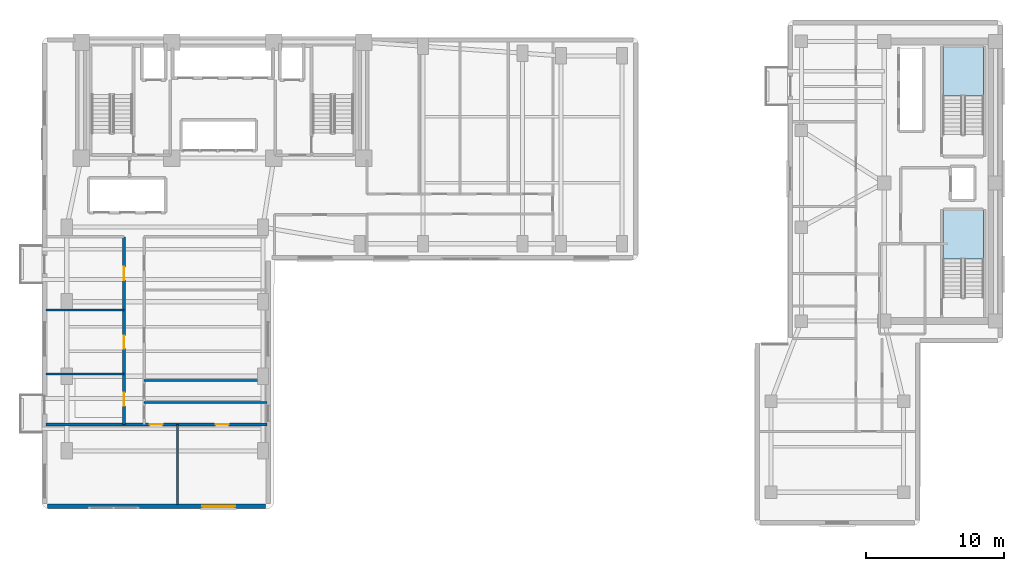
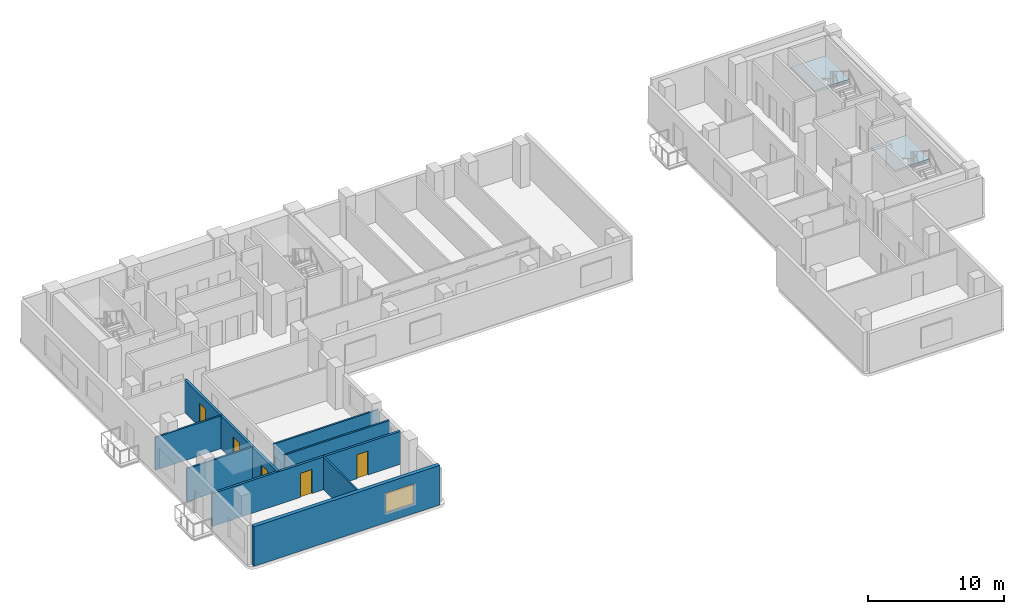
# One storey, part 8 of 16: 8 walls, 5 doors, 2 slabs, 1 window, 6 openings, 2 elements without a shape of their own.
"""IFC4 building model written with IfcOpenShell, lengths in metres."""

from ifc_helpers import new_model, si_unit, direction, frame, frame_2d, origin, place, context, subcontext, project, spatial, polyline, rectangle, outline, extrude, material, layer, layer_set, type_object, element, fill, aggregate, save


model = new_model("IFC4")

# Units and contexts
model_context = context("Model", 3, precision=1e-05, world=origin(), true_north=direction((0.0, 1.0)))
body_context = subcontext(model_context, "Body", "Model", "MODEL_VIEW")
ifc_project = project(units=[si_unit("LENGTHUNIT", "METRE"), si_unit("AREAUNIT", "SQUARE_METRE"), si_unit("VOLUMEUNIT", "CUBIC_METRE"), si_unit("PLANEANGLEUNIT", "RADIAN"), si_unit("MASSUNIT", "GRAM", prefix="KILO")], contexts=[model_context])

# Site, building, storey
site_placement = place(None, origin())
site = spatial("IfcSite", under=ifc_project, at=site_placement, CompositionType="ELEMENT")
building_placement = place(site_placement, origin())
building = spatial("IfcBuilding", under=site, at=building_placement, Name="Kuzgunbayir Cultural Tower", CompositionType="ELEMENT")
storey_placement = place(building_placement, frame((0.0, 0.0, 75.60009765625)))
storey = spatial("IfcBuildingStorey", under=building, at=storey_placement, Name="L21", CompositionType="ELEMENT", Elevation=75.60009765625)

# Stair, slab
ifc_material_1 = material(Name="Concrete C40/50", Category="concrete")
stair_type = type_object("IfcStairType", Name="STR-EXIT-CORE", PredefinedType="HALF_TURN_STAIR", material=ifc_material_1)
stair_1_placement = place(storey_placement, origin())
stair_1 = element("IfcStair", 1, at=stair_1_placement, inside=storey, type_object=stair_type, Name="L21 ST-3", PredefinedType="HALF_TURN_STAIR")
ifc_layer_1 = layer(ifc_material_1, 0.179931640625)
ifc_layer_set_1 = layer_set([ifc_layer_1], Name="Concrete C40/50")
slab_type = type_object("IfcSlabType", Name="SLB-LANDING-180", PredefinedType="LANDING", material=ifc_layer_set_1)
slab_1_placement = place(storey_placement, frame((0.0, 0.0, 1.699951171875)))
slab_1 = element("IfcSlab", 2, at=slab_1_placement, type_object=slab_type, Name="ST-3 landing 1", PredefinedType="LANDING", context=body_context, shape_type="SweptSolid", body=[
    extrude(outline(polyline([(71.800048828125, 26.5), (71.800048828125, 30.0), (68.840087890625, 30.0), (68.840087890625, 26.5), (71.800048828125, 26.5)])), origin(), (0.0, 0.0, 1.0), 0.199951171875),
])
aggregate(stair_1, [slab_1])

stair_2_placement = place(storey_placement, origin())
stair_2 = element("IfcStair", 3, at=stair_2_placement, inside=storey, type_object=stair_type, Name="L21 ST-4", PredefinedType="HALF_TURN_STAIR")
slab_2_placement = place(storey_placement, frame((0.0, 0.0, 1.699951171875)))
slab_2 = element("IfcSlab", 4, at=slab_2_placement, type_object=slab_type, Name="ST-4 landing 1", PredefinedType="LANDING", context=body_context, shape_type="SweptSolid", body=[
    extrude(outline(polyline([(71.800048828125, 38.300048828125), (71.800048828125, 41.800048828125), (68.840087890625, 41.800048828125), (68.840087890625, 38.300048828125), (71.800048828125, 38.300048828125)])), origin(), (0.0, 0.0, 1.0), 0.199951171875),
])
aggregate(stair_2, [slab_2])

# Wall, opening, window
ifc_material_2 = material(Name="Travertine Buff Ashlar", Category="masonry")
ifc_layer_2 = layer(ifc_material_2, 0.320068359375)
ifc_layer_set_2 = layer_set([ifc_layer_2], Name="Travertine Buff Ashlar")
wall_type_1 = type_object("IfcWallType", Name="WAL-EXT-STONE-320", PredefinedType="STANDARD", material=ifc_layer_set_2)
wall_1_placement = place(storey_placement, frame((4.0, 8.60009765625, 0.0), z_axis=(0.0, 0.0, 1.0), x_axis=(1.0, 0.0, 0.0)))
wall_1 = element("IfcWall", 5, at=wall_1_placement, inside=storey, type_object=wall_type_1, Name="L21 Wing A South Limestone Wall", PredefinedType="STANDARD", context=body_context, shape_type="SweptSolid", body=[
    extrude(rectangle(XDim=15.800048828125, YDim=0.320068359375, at=frame_2d((7.89990234375, 0.0))), origin(), (0.0, 0.0, 1.0), 3.559814453125),
])
opening_1_placement = place(wall_1_placement, frame((11.199951171875, 0.0, 0.85009765625)))
opening_1 = element("IfcOpeningElement", 6, at=opening_1_placement, cuts=wall_1, Name="Opening WO-24", PredefinedType="OPENING", context=body_context, shape_type="SweptSolid", body=[
    extrude(rectangle(XDim=2.39990234375, YDim=1.800048828125, at=frame_2d((1.199951171875, 0.89990234375))), frame((0.0, 0.169921875, 0.0), z_axis=(0.0, -1.0, 0.0), x_axis=(1.0, 0.0, 0.0)), (0.0, 0.0, 1.0), 0.340087890625),
])
ifc_material_3 = material(Name="Solar-Control Triple Glazing", Category="glass")
window_type = type_object("IfcWindowType", Name="WIN-OFFICE-24", PartitioningType="SINGLE_PANEL", PredefinedType="WINDOW", material=ifc_material_3)
window_placement = place(opening_1_placement, origin())
window = element("IfcWindow", 7, at=window_placement, inside=storey, type_object=window_type, Name="L21 WAS Facade Window 7", OverallHeight=1.800048828125, OverallWidth=2.39990234375, PartitioningType="SINGLE_PANEL", PredefinedType="WINDOW", context=body_context, shape_type="SweptSolid", body=[
    extrude(rectangle(XDim=2.39990234375, YDim=1.800048828125, at=frame_2d((1.199951171875, 0.89990234375))), frame((0.0, 0.030029296875, 0.0), z_axis=(0.0, -1.0, 0.0), x_axis=(1.0, 0.0, 0.0)), (0.0, 0.0, 1.0), 0.06005859375),
])
fill(opening_1, window)

# Walls
ifc_material_4 = material(Name="Acoustic Double-Stud Drywall", Category="gypsum")
ifc_layer_3 = layer(ifc_material_4, 0.14990234375)
ifc_layer_set_3 = layer_set([ifc_layer_3], Name="Acoustic Double-Stud Drywall")
wall_type_2 = type_object("IfcWallType", Name="WAL-PART-ACOUSTIC-150", PredefinedType="PARTITIONING", material=ifc_layer_set_3)
for number, where, z_axis, x_axis, name in (
    (8, (3.89990234375, 18.169921875, 0.0), (0.0, 0.0, 1.0), (1.0, 0.0, 0.0), "L21 West Suite Partition 1"),
    (9, (3.89990234375, 22.800048828125, 0.0), (0.0, 0.0, 1.0), (1.0, 0.0, 0.0), "L21 West Suite Partition 2"),
):
    element("IfcWall", number, at=place(storey_placement, frame(where, z_axis=z_axis, x_axis=x_axis)), inside=storey, type_object=wall_type_2, Name=name, PredefinedType="PARTITIONING", context=body_context, shape_type="SweptSolid", body=[
        extrude(rectangle(XDim=5.650146484375, YDim=0.14990234375, at=frame_2d((2.8251953125, 0.0))), origin(), (0.0, 0.0, 1.0), 2.949951171875),
    ])
wall_2_placement = place(storey_placement, frame((13.409912109375, 8.699951171875, 0.0), z_axis=(0.0, 0.0, 1.0), x_axis=(0.0, 1.0, 0.0)))
element("IfcWall", 10, at=wall_2_placement, inside=storey, type_object=wall_type_2, Name="L21 South Suite Divider 1", PredefinedType="PARTITIONING", context=body_context, shape_type="SweptSolid", body=[
    extrude(rectangle(XDim=5.800048828125, YDim=0.14990234375, at=frame_2d((2.89990234375, 0.0))), origin(), (0.0, 0.0, 1.0), 2.949951171875),
])

# Wall, openings, doors
ifc_material_5 = material(Name="Aerated Concrete Blockwork", Category="masonry")
ifc_layer_4 = layer(ifc_material_5, 0.199951171875)
ifc_layer_set_4 = layer_set([ifc_layer_4], Name="Aerated Concrete Blockwork")
wall_type_3 = type_object("IfcWallType", Name="WAL-PART-FIRE-200", PredefinedType="PARTITIONING", material=ifc_layer_set_4)
wall_3_placement = place(storey_placement, frame((9.550048828125, 14.5, 0.0), z_axis=(0.0, 0.0, 1.0), x_axis=(0.0, 1.0, 0.0)))
wall_3 = element("IfcWall", 11, at=wall_3_placement, inside=storey, type_object=wall_type_3, Name="L21 Wing A West Corridor Wall", PredefinedType="PARTITIONING", context=body_context, shape_type="SweptSolid", body=[
    extrude(rectangle(XDim=13.60009765625, YDim=0.199951171875, at=frame_2d((6.800048828125, 0.0))), origin(), (0.0, 0.0, 1.0), 2.949951171875),
])
opening_2_placement = place(wall_3_placement, frame((1.360107421875, 0.0, 0.0)))
opening_2 = element("IfcOpeningElement", 12, at=opening_2_placement, cuts=wall_3, Name="Opening DI-90", PredefinedType="OPENING", context=body_context, shape_type="SweptSolid", body=[
    extrude(rectangle(XDim=0.949951171875, YDim=2.14990234375, at=frame_2d((0.47509765625, 1.074951171875))), frame((0.0, 0.10986328125, 0.0), z_axis=(0.0, -1.0, 0.0), x_axis=(1.0, 0.0, 0.0)), (0.0, 0.0, 1.0), 0.219970703125),
])
opening_3_placement = place(wall_3_placement, frame((5.5, 0.0, 0.0)))
opening_3 = element("IfcOpeningElement", 13, at=opening_3_placement, cuts=wall_3, Name="Opening DI-90", PredefinedType="OPENING", context=body_context, shape_type="SweptSolid", body=[
    extrude(rectangle(XDim=0.949951171875, YDim=2.14990234375, at=frame_2d((0.47509765625, 1.074951171875))), frame((0.0, 0.10986328125, 0.0), z_axis=(0.0, -1.0, 0.0), x_axis=(1.0, 0.0, 0.0)), (0.0, 0.0, 1.0), 0.219970703125),
])
opening_4_placement = place(wall_3_placement, frame((10.469970703125, 0.0, 0.0)))
opening_4 = element("IfcOpeningElement", 14, at=opening_4_placement, cuts=wall_3, Name="Opening DI-90", PredefinedType="OPENING", context=body_context, shape_type="SweptSolid", body=[
    extrude(rectangle(XDim=0.949951171875, YDim=2.14990234375, at=frame_2d((0.47509765625, 1.074951171875))), frame((0.0, 0.10986328125, 0.0), z_axis=(0.0, -1.0, 0.0), x_axis=(1.0, 0.0, 0.0)), (0.0, 0.0, 1.0), 0.219970703125),
])
ifc_material_6 = material(Name="Veneered Oak Single Leaf", Category="wood")
door_type = type_object("IfcDoorType", Name="DR-INT-90", OperationType="NOTDEFINED", PredefinedType="DOOR", material=ifc_material_6)
door_1_placement = place(opening_2_placement, origin())
door_1 = element("IfcDoor", 15, at=door_1_placement, inside=storey, type_object=door_type, Name="L21 Art Publication Salon W1 Door", OperationType="SINGLE_SWING_RIGHT", OverallHeight=2.14990234375, OverallWidth=0.949951171875, PredefinedType="DOOR", context=body_context, shape_type="SweptSolid", body=[
    extrude(rectangle(XDim=0.949951171875, YDim=2.14990234375, at=frame_2d((0.47509765625, 1.074951171875))), frame((0.0, 0.02490234375, 0.0), z_axis=(0.0, -1.0, 0.0), x_axis=(1.0, 0.0, 0.0)), (0.0, 0.0, 1.0), 0.050048828125),
])
fill(opening_2, door_1)
door_2_placement = place(opening_3_placement, origin())
door_2 = element("IfcDoor", 16, at=door_2_placement, inside=storey, type_object=door_type, Name="L21 Art Publication Salon W2 Door", OperationType="SINGLE_SWING_LEFT", OverallHeight=2.14990234375, OverallWidth=0.949951171875, PredefinedType="DOOR", context=body_context, shape_type="SweptSolid", body=[
    extrude(rectangle(XDim=0.949951171875, YDim=2.14990234375, at=frame_2d((0.47509765625, 1.074951171875))), frame((0.0, 0.02490234375, 0.0), z_axis=(0.0, -1.0, 0.0), x_axis=(1.0, 0.0, 0.0)), (0.0, 0.0, 1.0), 0.050048828125),
])
fill(opening_3, door_2)
door_3_placement = place(opening_4_placement, origin())
door_3 = element("IfcDoor", 17, at=door_3_placement, inside=storey, type_object=door_type, Name="L21 Fellows Reading Lounge W3 Door", OperationType="SINGLE_SWING_RIGHT", OverallHeight=2.14990234375, OverallWidth=0.949951171875, PredefinedType="DOOR", context=body_context, shape_type="SweptSolid", body=[
    extrude(rectangle(XDim=0.949951171875, YDim=2.14990234375, at=frame_2d((0.47509765625, 1.074951171875))), frame((0.0, 0.02490234375, 0.0), z_axis=(0.0, -1.0, 0.0), x_axis=(1.0, 0.0, 0.0)), (0.0, 0.0, 1.0), 0.050048828125),
])
fill(opening_4, door_3)

wall_4_placement = place(storey_placement, frame((3.89990234375, 14.5, 0.0), z_axis=(0.0, 0.0, 1.0), x_axis=(1.0, 0.0, 0.0)))
wall_4 = element("IfcWall", 18, at=wall_4_placement, inside=storey, type_object=wall_type_3, Name="L21 South Cross Partition", PredefinedType="PARTITIONING", context=body_context, shape_type="SweptSolid", body=[
    extrude(rectangle(XDim=16.0, YDim=0.199951171875, at=frame_2d((8.0, 0.0))), origin(), (0.0, 0.0, 1.0), 2.949951171875),
])
opening_5_placement = place(wall_4_placement, frame((7.5, 0.0, 0.0)))
opening_5 = element("IfcOpeningElement", 19, at=opening_5_placement, cuts=wall_4, Name="Opening DI-90", PredefinedType="OPENING", context=body_context, shape_type="SweptSolid", body=[
    extrude(rectangle(XDim=0.949951171875, YDim=2.14990234375, at=frame_2d((0.47509765625, 1.074951171875))), frame((0.0, 0.10986328125, 0.0), z_axis=(0.0, -1.0, 0.0), x_axis=(1.0, 0.0, 0.0)), (0.0, 0.0, 1.0), 0.219970703125),
])
opening_6_placement = place(wall_4_placement, frame((12.280029296875, 0.0, 0.0)))
opening_6 = element("IfcOpeningElement", 20, at=opening_6_placement, cuts=wall_4, Name="Opening DI-90", PredefinedType="OPENING", context=body_context, shape_type="SweptSolid", body=[
    extrude(rectangle(XDim=0.949951171875, YDim=2.14990234375, at=frame_2d((0.47509765625, 1.074951171875))), frame((0.0, 0.10986328125, 0.0), z_axis=(0.0, -1.0, 0.0), x_axis=(1.0, 0.0, 0.0)), (0.0, 0.0, 1.0), 0.219970703125),
])
door_4_placement = place(opening_5_placement, origin())
door_4 = element("IfcDoor", 21, at=door_4_placement, inside=storey, type_object=door_type, Name="L21 South Suite S1 Door", OperationType="SINGLE_SWING_LEFT", OverallHeight=2.14990234375, OverallWidth=0.949951171875, PredefinedType="DOOR", context=body_context, shape_type="SweptSolid", body=[
    extrude(rectangle(XDim=0.949951171875, YDim=2.14990234375, at=frame_2d((0.47509765625, 1.074951171875))), frame((0.0, 0.02490234375, 0.0), z_axis=(0.0, -1.0, 0.0), x_axis=(1.0, 0.0, 0.0)), (0.0, 0.0, 1.0), 0.050048828125),
])
fill(opening_5, door_4)
door_5_placement = place(opening_6_placement, origin())
door_5 = element("IfcDoor", 22, at=door_5_placement, inside=storey, type_object=door_type, Name="L21 South Suite S2 Door", OperationType="SINGLE_SWING_RIGHT", OverallHeight=2.14990234375, OverallWidth=0.949951171875, PredefinedType="DOOR", context=body_context, shape_type="SweptSolid", body=[
    extrude(rectangle(XDim=0.949951171875, YDim=2.14990234375, at=frame_2d((0.47509765625, 1.074951171875))), frame((0.0, 0.02490234375, 0.0), z_axis=(0.0, -1.0, 0.0), x_axis=(1.0, 0.0, 0.0)), (0.0, 0.0, 1.0), 0.050048828125),
])
fill(opening_6, door_5)

# Walls
ifc_material_7 = material(Name="Moisture-Resistant Tile Partition", Category="gypsum")
ifc_layer_5 = layer(ifc_material_7, 0.14990234375)
ifc_layer_set_5 = layer_set([ifc_layer_5], Name="Moisture-Resistant Tile Partition")
wall_type_4 = type_object("IfcWallType", Name="WAL-PART-WET-150", PredefinedType="PARTITIONING", material=ifc_layer_set_5)
for number, where, z_axis, x_axis, name in (
    (23, (11.010009765625, 16.10009765625, 0.0), (0.0, 0.0, 1.0), (1.0, 0.0, 0.0), "L21 WC North Wall"),
    (24, (11.010009765625, 17.699951171875, 0.0), (0.0, 0.0, 1.0), (1.0, 0.0, 0.0), "L21 Accessible WC North Wall"),
):
    element("IfcWall", number, at=place(storey_placement, frame(where, z_axis=z_axis, x_axis=x_axis)), inside=storey, type_object=wall_type_4, Name=name, PredefinedType="PARTITIONING", context=body_context, shape_type="SweptSolid", body=[
        extrude(rectangle(XDim=8.889892578125, YDim=0.14990234375, at=frame_2d((4.44482421875, 0.0))), origin(), (0.0, 0.0, 1.0), 2.949951171875),
    ])

save(model, "model.ifc")
